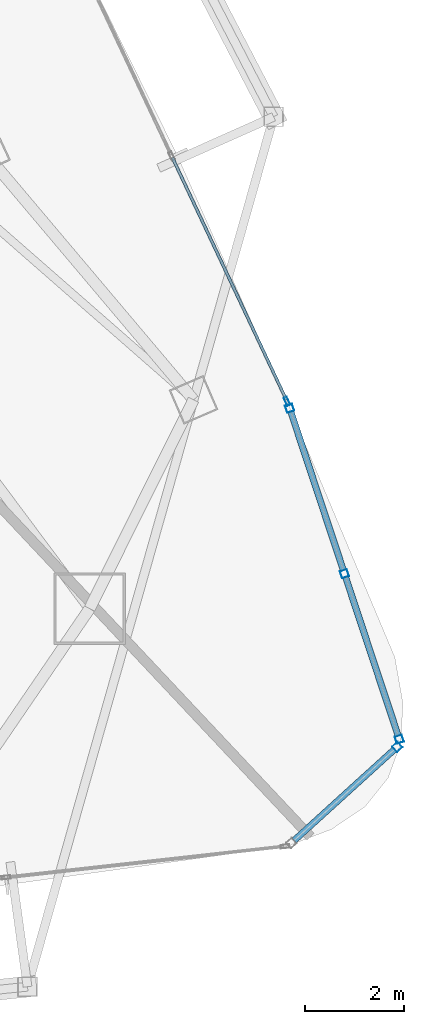
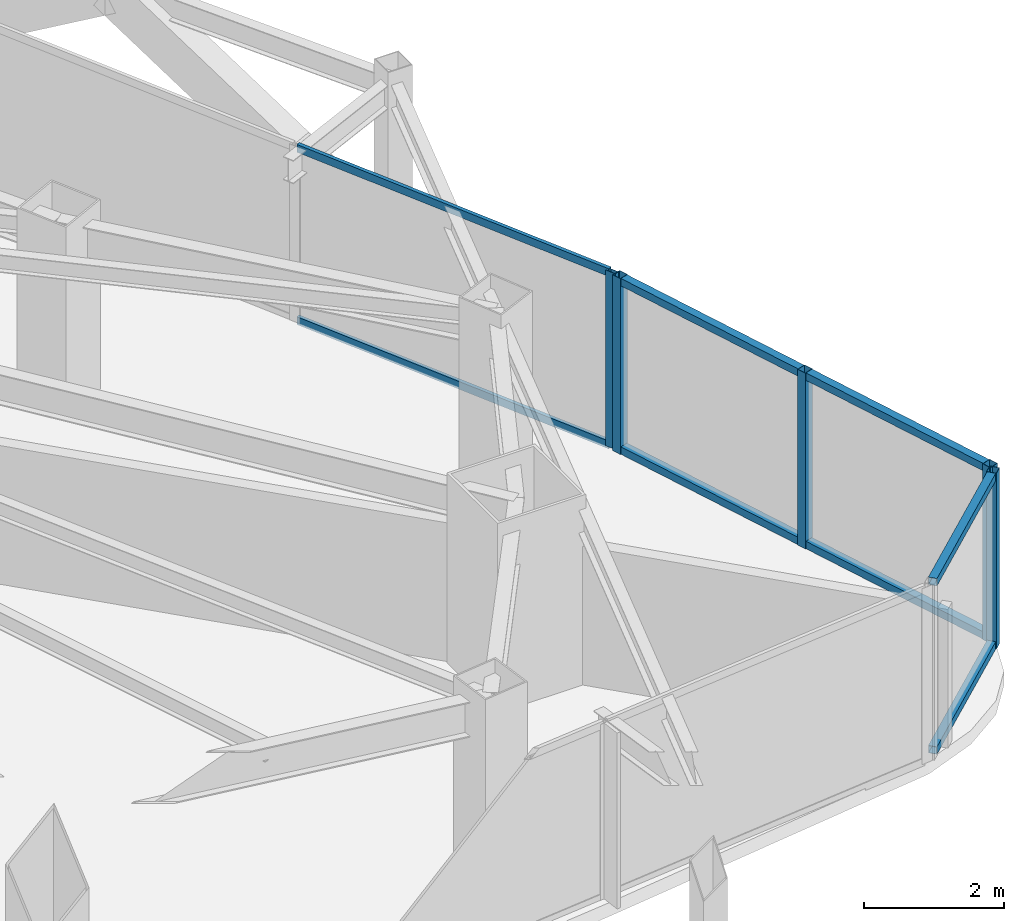
# One storey, part 16 of 31: 13 members, 3 elements without a shape of their own.
"""IFC4 building model written with IfcOpenShell, lengths in metres."""

from ifc_helpers import new_model, si_unit, direction, frame, origin, origin_2d, place, context, subcontext, project, spatial, hollow_rectangle, extrude, material, layer, layer_set, material_profile, profile_set, type_object, element, aggregate, save


model = new_model("IFC4")

# Units and contexts
model_context = context("Model", 3, precision=1e-05, world=origin(), true_north=direction((0.0, 1.0)))
body_context = subcontext(model_context, "Body", "Model", "MODEL_VIEW")
ifc_project = project(units=[si_unit("LENGTHUNIT", "METRE"), si_unit("AREAUNIT", "SQUARE_METRE"), si_unit("VOLUMEUNIT", "CUBIC_METRE"), si_unit("PLANEANGLEUNIT", "RADIAN"), si_unit("MASSUNIT", "GRAM", prefix="KILO")], contexts=[model_context])

# Site, building, storey
site_placement = place(None, origin())
site = spatial("IfcSite", under=ifc_project, at=site_placement, CompositionType="ELEMENT")
building_placement = place(site_placement, origin())
building = spatial("IfcBuilding", under=site, at=building_placement, Name="Orvanel Arch Residences", CompositionType="ELEMENT")
storey_placement = place(building_placement, frame((0.0, 0.0, 150.64990234375)))
storey = spatial("IfcBuildingStorey", under=building, at=storey_placement, Name="L42", CompositionType="ELEMENT", Elevation=150.64990234375)

# Curtain wall, member
ifc_material = material(Name="Bronze-anodised aluminium AA6063-T6", Category="aluminium")
ifc_layer_1 = layer(ifc_material, 0.18994140625)
ifc_layer_set_1 = layer_set([ifc_layer_1], Name="Bronze-anodised aluminium AA6063-T6")
curtain_wall_type_1 = type_object("IfcCurtainWallType", Name="CW5-CRN-SYS", PredefinedType="NOTDEFINED", material=ifc_layer_set_1)
curtain_wall_1_placement = place(storey_placement, origin())
curtain_wall_1 = element("IfcCurtainWall", 1, at=curtain_wall_1_placement, inside=storey, type_object=curtain_wall_type_1, Name="L42 CW5-CRN-SYS Unitised Curtain Wall", PredefinedType="NOTDEFINED")
ifc_material_profile_1 = material_profile(ifc_material, hollow_rectangle(XDim=0.14990234375, YDim=0.14990234375, WallThickness=0.0048828125, at=origin_2d()), Name="ALU150x150x5")
ifc_profile_set_1 = profile_set([ifc_material_profile_1], Name="Bronze-anodised aluminium AA6063-T6")
member_type_1 = type_object("IfcMemberType", Name="MUL-150x150", PredefinedType="MULLION", material=ifc_profile_set_1)
member_1_placement = place(storey_placement, frame((58.032470703125, 7.552490234375, 0.0), z_axis=(0.0, 0.0, 1.0), x_axis=(-0.672329748621, 0.740251787651, 0.0)))
member_1 = element("IfcMember", 2, at=member_1_placement, type_object=member_type_1, Name="CW-S5 mullion 2", PredefinedType="MULLION", context=body_context, shape_type="SweptSolid", body=[
    extrude(hollow_rectangle(XDim=0.14990234375, YDim=0.14990234375, WallThickness=0.0048828125, at=origin_2d()), origin(), (0.0, 0.0, 1.0), 3.06005859375),
])

# Curtain wall, members
curtain_wall_2_placement = place(storey_placement, origin())
curtain_wall_2 = element("IfcCurtainWall", 3, at=curtain_wall_2_placement, inside=storey, type_object=curtain_wall_type_1, Name="L42 CW5-CRN-SYS Unitised Curtain Wall", PredefinedType="NOTDEFINED")
member_2_placement = place(storey_placement, frame((58.073486328125, 7.706298828125, 0.0), z_axis=(0.0, 0.0, 1.0), x_axis=(-0.949264059882, -0.314480118, 0.0)))
member_2 = element("IfcMember", 4, at=member_2_placement, type_object=member_type_1, Name="CW-S5 mullion 1", PredefinedType="MULLION", context=body_context, shape_type="SweptSolid", body=[
    extrude(hollow_rectangle(XDim=0.14990234375, YDim=0.14990234375, WallThickness=0.0048828125, at=origin_2d()), origin(), (0.0, 0.0, 1.0), 3.06005859375),
])
member_3_placement = place(storey_placement, frame((56.962890625, 11.05810546875, 0.0), z_axis=(0.0, 0.0, 1.0), x_axis=(-0.949264059882, -0.314480118, 0.0)))
member_3 = element("IfcMember", 5, at=member_3_placement, type_object=member_type_1, Name="CW-S5 mullion 2", PredefinedType="MULLION", context=body_context, shape_type="SweptSolid", body=[
    extrude(hollow_rectangle(XDim=0.14990234375, YDim=0.14990234375, WallThickness=0.0048828125, at=origin_2d()), origin(), (0.0, 0.0, 1.0), 3.06005859375),
])
member_4_placement = place(storey_placement, frame((55.8525390625, 14.409912109375, 0.0), z_axis=(0.0, 0.0, 1.0), x_axis=(-0.949264059882, -0.314480118, 0.0)))
member_4 = element("IfcMember", 6, at=member_4_placement, type_object=member_type_1, Name="CW-S5 mullion 3", PredefinedType="MULLION", context=body_context, shape_type="SweptSolid", body=[
    extrude(hollow_rectangle(XDim=0.14990234375, YDim=0.14990234375, WallThickness=0.0048828125, at=origin_2d()), origin(), (0.0, 0.0, 1.0), 3.06005859375),
])

# Curtain wall, member
ifc_layer_2 = layer(ifc_material, 0.179931640625)
ifc_layer_set_2 = layer_set([ifc_layer_2], Name="Bronze-anodised aluminium AA6063-T6")
curtain_wall_type_2 = type_object("IfcCurtainWallType", Name="CW3-MID-SYS", PredefinedType="NOTDEFINED", material=ifc_layer_set_2)
curtain_wall_3_placement = place(storey_placement, origin())
curtain_wall_3 = element("IfcCurtainWall", 7, at=curtain_wall_3_placement, inside=storey, type_object=curtain_wall_type_2, Name="L42 CW3-MID-SYS Unitised Curtain Wall", PredefinedType="NOTDEFINED")
ifc_material_profile_2 = material_profile(ifc_material, hollow_rectangle(XDim=0.070068359375, YDim=0.179931640625, WallThickness=0.00439453125, at=origin_2d()), Name="ALU180x70x4.5")
ifc_profile_set_2 = profile_set([ifc_material_profile_2], Name="Bronze-anodised aluminium AA6063-T6")
member_type_2 = type_object("IfcMemberType", Name="MUL-180x70", PredefinedType="MULLION", material=ifc_profile_set_2)
member_5_placement = place(storey_placement, frame((55.799072265625, 14.549560546875, 0.0), z_axis=(0.0, 0.0, 1.0), x_axis=(-0.90490897961, -0.425605144026, 0.0)))
member_5 = element("IfcMember", 8, at=member_5_placement, type_object=member_type_2, Name="CW-S3 mullion 1", PredefinedType="MULLION", context=body_context, shape_type="SweptSolid", body=[
    extrude(hollow_rectangle(XDim=0.070068359375, YDim=0.179931640625, WallThickness=0.00439453125, at=origin_2d()), origin(), (0.0, 0.0, 1.0), 3.06005859375),
])

# Member
ifc_material_profile_3 = material_profile(ifc_material, hollow_rectangle(XDim=0.1298828125, YDim=0.1298828125, WallThickness=0.00439453125, at=origin_2d()), Name="ALU130x130x4.5")
ifc_profile_set_3 = profile_set([ifc_material_profile_3], Name="Bronze-anodised aluminium AA6063-T6")
member_type_3 = type_object("IfcMemberType", Name="TRN-130x130", PredefinedType="USERDEFINED", material=ifc_profile_set_3)
member_6_placement = place(storey_placement, frame((55.943115234375, 5.65478515625, 0.065185546875), z_axis=(0.740233498965, 0.672349884368, 0.0), x_axis=(-0.672349884368, 0.740233498965, 0.0)))
member_6 = element("IfcMember", 9, at=member_6_placement, type_object=member_type_3, Name="CW-S5 transom 1.1", ObjectType="TRANSOM", PredefinedType="USERDEFINED", context=body_context, shape_type="SweptSolid", body=[
    extrude(hollow_rectangle(XDim=0.1298828125, YDim=0.1298828125, WallThickness=0.00439453125, at=origin_2d()), origin(), (0.0, 0.0, 1.0), 2.747802734375),
])

member_7_placement = place(storey_placement, frame((55.943115234375, 5.65478515625, 2.9951171875), z_axis=(0.740233498965, 0.672349884368, 0.0), x_axis=(-0.672349884368, 0.740233498965, 0.0)))
member_7 = element("IfcMember", 10, at=member_7_placement, type_object=member_type_3, Name="CW-S5 transom 1.2", ObjectType="TRANSOM", PredefinedType="USERDEFINED", context=body_context, shape_type="SweptSolid", body=[
    extrude(hollow_rectangle(XDim=0.1298828125, YDim=0.1298828125, WallThickness=0.00439453125, at=origin_2d()), origin(), (0.0, 0.0, 1.0), 2.747802734375),
])

aggregate(curtain_wall_1, [member_1, member_6, member_7])

member_8_placement = place(storey_placement, frame((58.0498046875, 7.77734375, 0.065185546875), z_axis=(-0.314472533354, 0.949266572553, 0.0), x_axis=(-0.949266572553, -0.314472533354, 0.0)))
member_8 = element("IfcMember", 11, at=member_8_placement, type_object=member_type_3, Name="CW-S5 transom 1.1", ObjectType="TRANSOM", PredefinedType="USERDEFINED", context=body_context, shape_type="SweptSolid", body=[
    extrude(hollow_rectangle(XDim=0.1298828125, YDim=0.1298828125, WallThickness=0.00439453125, at=origin_2d()), origin(), (0.0, 0.0, 1.0), 3.381103515625),
])

member_9_placement = place(storey_placement, frame((58.0498046875, 7.77734375, 2.9951171875), z_axis=(-0.314472533354, 0.949266572553, 0.0), x_axis=(-0.949266572553, -0.314472533354, 0.0)))
member_9 = element("IfcMember", 12, at=member_9_placement, type_object=member_type_3, Name="CW-S5 transom 1.2", ObjectType="TRANSOM", PredefinedType="USERDEFINED", context=body_context, shape_type="SweptSolid", body=[
    extrude(hollow_rectangle(XDim=0.1298828125, YDim=0.1298828125, WallThickness=0.00439453125, at=origin_2d()), origin(), (0.0, 0.0, 1.0), 3.381103515625),
])

member_10_placement = place(storey_placement, frame((56.939453125, 11.129150390625, 0.065185546875), z_axis=(-0.314472533354, 0.949266572553, 0.0), x_axis=(-0.949266572553, -0.314472533354, 0.0)))
member_10 = element("IfcMember", 13, at=member_10_placement, type_object=member_type_3, Name="CW-S5 transom 2.1", ObjectType="TRANSOM", PredefinedType="USERDEFINED", context=body_context, shape_type="SweptSolid", body=[
    extrude(hollow_rectangle(XDim=0.1298828125, YDim=0.1298828125, WallThickness=0.00439453125, at=origin_2d()), origin(), (0.0, 0.0, 1.0), 3.381103515625),
])

member_11_placement = place(storey_placement, frame((56.939453125, 11.129150390625, 2.9951171875), z_axis=(-0.314472533354, 0.949266572553, 0.0), x_axis=(-0.949266572553, -0.314472533354, 0.0)))
member_11 = element("IfcMember", 14, at=member_11_placement, type_object=member_type_3, Name="CW-S5 transom 2.2", ObjectType="TRANSOM", PredefinedType="USERDEFINED", context=body_context, shape_type="SweptSolid", body=[
    extrude(hollow_rectangle(XDim=0.1298828125, YDim=0.1298828125, WallThickness=0.00439453125, at=origin_2d()), origin(), (0.0, 0.0, 1.0), 3.381103515625),
])

aggregate(curtain_wall_2, [member_2, member_3, member_4, member_8, member_9, member_10, member_11])

ifc_material_profile_4 = material_profile(ifc_material, hollow_rectangle(XDim=0.06005859375, YDim=0.135009765625, WallThickness=0.00390625, at=origin_2d()), Name="ALU135x60x4")
ifc_profile_set_4 = profile_set([ifc_material_profile_4], Name="Bronze-anodised aluminium AA6063-T6")
member_type_4 = type_object("IfcMemberType", Name="TRN-135x60", PredefinedType="USERDEFINED", material=ifc_profile_set_4)
member_12_placement = place(storey_placement, frame((55.7841796875, 14.581298828125, 0.030029296875), z_axis=(-0.425575618732, 0.90492286563, 0.0), x_axis=(-0.90492286563, -0.425575618732, 0.0)))
member_12 = element("IfcMember", 15, at=member_12_placement, type_object=member_type_4, Name="CW-S3 transom 1.1", ObjectType="TRANSOM", PredefinedType="USERDEFINED", context=body_context, shape_type="SweptSolid", body=[
    extrude(hollow_rectangle(XDim=0.06005859375, YDim=0.135009765625, WallThickness=0.00390625, at=origin_2d()), origin(), (0.0, 0.0, 1.0), 5.41650390625),
])

member_13_placement = place(storey_placement, frame((55.7841796875, 14.581298828125, 3.030029296875), z_axis=(-0.425575618732, 0.90492286563, 0.0), x_axis=(-0.90492286563, -0.425575618732, 0.0)))
member_13 = element("IfcMember", 16, at=member_13_placement, type_object=member_type_4, Name="CW-S3 transom 1.2", ObjectType="TRANSOM", PredefinedType="USERDEFINED", context=body_context, shape_type="SweptSolid", body=[
    extrude(hollow_rectangle(XDim=0.06005859375, YDim=0.135009765625, WallThickness=0.00390625, at=origin_2d()), origin(), (0.0, 0.0, 1.0), 5.41650390625),
])

aggregate(curtain_wall_3, [member_5, member_12, member_13])

save(model, "model.ifc")
